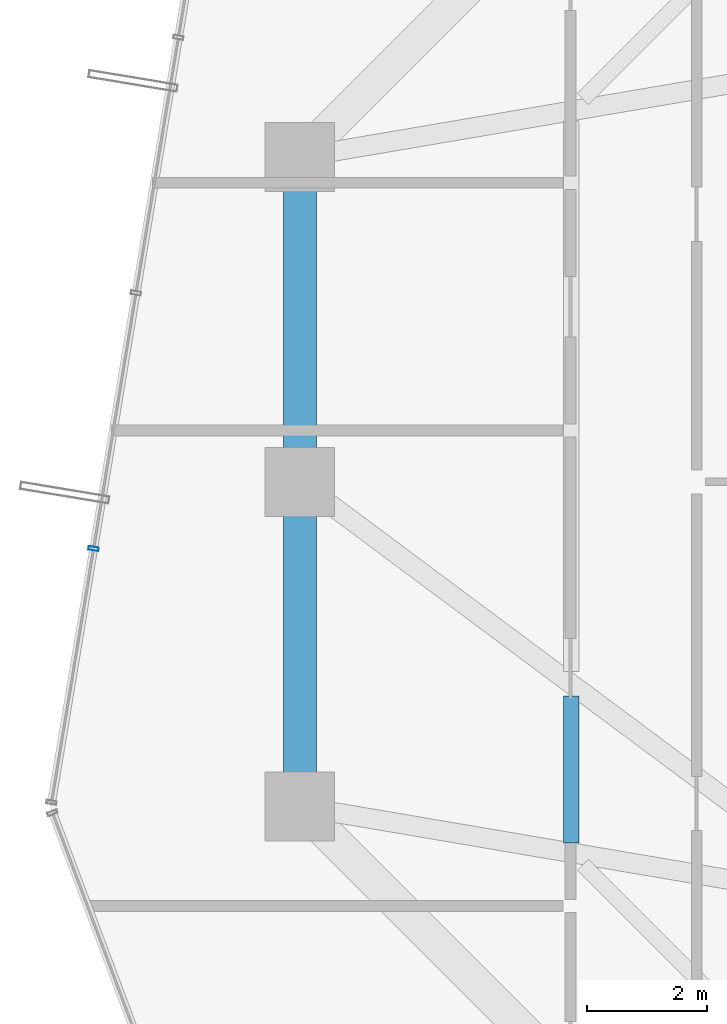
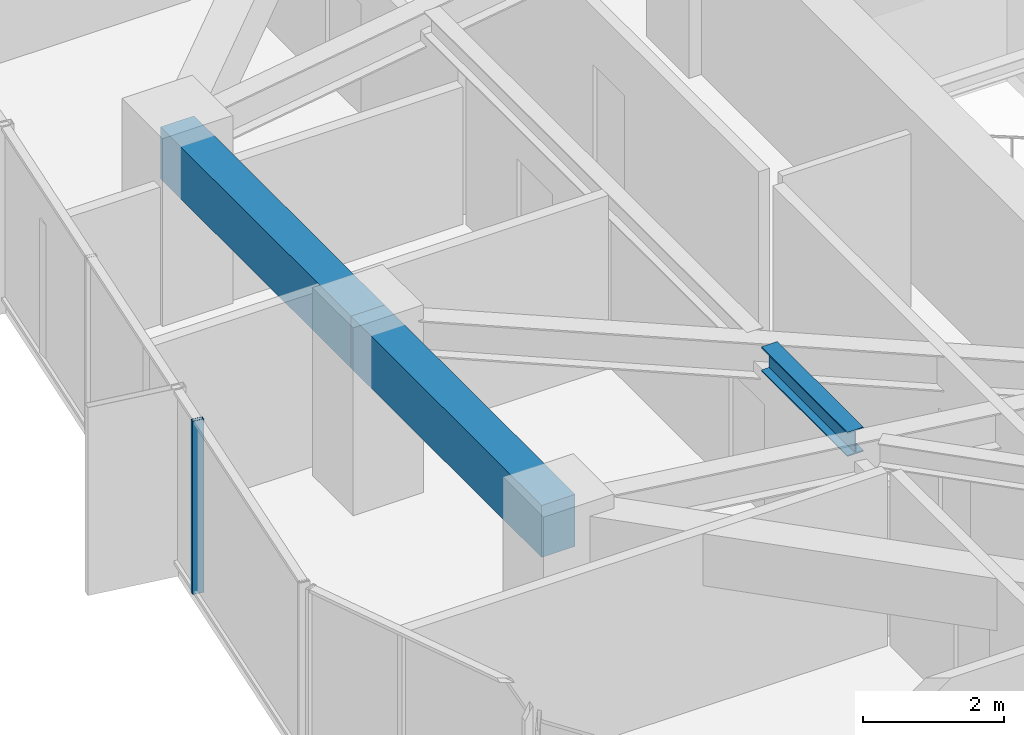
# One storey, part 10 of 30: 3 beams, 1 member, 1 element without a shape of its own.
"""IFC4 building model written with IfcOpenShell, lengths in metres."""

import ifcopenshell
import ifcopenshell.guid

model = None  # the IFC model being written
_history = None  # IfcOwnerHistory: only IFC2X3 demands one
_inside = {}  # id of a spatial element -> (the spatial element, [elements in it])
_under = {}  # id of a project, library or spatial element -> (it, [spatial elements below it])
_declared = {}  # id of a project -> (the project, [libraries it declares])
_typed = {}  # id of a type object -> (the type object, [elements of that type])
_made_of = {}  # id of a material, layer set ... -> (it, [elements and type objects made of it])


def new_model(schema):
    """Start an empty IFC model of exactly this schema.

    Asked for "IFC4X3", IfcOpenShell would pick the latest addendum, in which some entities
    have other attributes; the version numbers below select the first issue.
    IFC2X3 requires an IfcOwnerHistory on every rooted entity: one is made here for all.
    """
    global model, _history
    if schema == "IFC4X3":
        model = ifcopenshell.file(schema_version=(4, 3, 0, 0))
    else:
        model = ifcopenshell.file(schema=schema)
    _inside.clear()
    _under.clear()
    _declared.clear()
    _typed.clear()
    _made_of.clear()
    _history = None
    if model.schema == "IFC2X3":
        org = make("IfcOrganization", Name="unknown")
        user = make(
            "IfcPersonAndOrganization",
            ThePerson=make("IfcPerson", FamilyName="unknown"),
            TheOrganization=org,
        )
        app = make(
            "IfcApplication",
            ApplicationDeveloper=org,
            Version="unknown",
            ApplicationFullName="unknown",
            ApplicationIdentifier="unknown",
        )
        _history = make(
            "IfcOwnerHistory",
            OwningUser=user,
            OwningApplication=app,
            ChangeAction="ADDED",
            CreationDate=0,
        )
    return model


def make(cls, **values):
    """One entity of the class cls with the attributes given. An attribute that is None is left unset."""
    return model.create_entity(
        cls, **{name: value for name, value in values.items() if value is not None}
    )


def rooted(cls, **values):
    """An entity with a GlobalId (a new one), such as an element, a storey or a relation."""
    return make(cls, GlobalId=ifcopenshell.guid.new(), OwnerHistory=_history, **values)


def si_unit(unit_type, name, prefix=None):
    """IfcSIUnit, for example si_unit("LENGTHUNIT", "METRE", prefix="MILLI")."""
    return make("IfcSIUnit", UnitType=unit_type, Prefix=prefix, Name=name)


def assignment(units):
    """IfcUnitAssignment: the units of a project."""
    return None if units is None else make("IfcUnitAssignment", Units=units)


def point(xyz):
    """IfcCartesianPoint."""
    return None if xyz is None else make("IfcCartesianPoint", Coordinates=xyz)


def direction(xyz):
    """IfcDirection."""
    return None if xyz is None else make("IfcDirection", DirectionRatios=xyz)


def frame(location, z_axis=None, x_axis=None):
    """IfcAxis2Placement3D, a coordinate frame: its origin and axes. An axis left out is left unset."""
    return make(
        "IfcAxis2Placement3D",
        Location=point(location),
        Axis=direction(z_axis),
        RefDirection=direction(x_axis),
    )


def frame_2d(location, x_axis=None):
    """IfcAxis2Placement2D, a coordinate frame in the plane: its origin and x axis."""
    return make(
        "IfcAxis2Placement2D", Location=point(location), RefDirection=direction(x_axis)
    )


def origin():
    """The frame at (0, 0, 0) with its axes left unset."""
    return frame((0.0, 0.0, 0.0))


def origin_2d():
    """The frame at (0, 0) in the plane with its x axis left unset."""
    return frame_2d((0.0, 0.0))


def place(relative_to, where):
    """IfcLocalPlacement: puts the frame where relative to a parent placement (None: the world)."""
    return make(
        "IfcLocalPlacement", PlacementRelTo=relative_to, RelativePlacement=where
    )


def context(
    kind, dimensions, precision=None, world=None, true_north=None, identifier=None
):
    """IfcGeometricRepresentationContext, for example the 3D "Model" context."""
    return make(
        "IfcGeometricRepresentationContext",
        ContextIdentifier=identifier,
        ContextType=kind,
        CoordinateSpaceDimension=dimensions,
        Precision=precision,
        WorldCoordinateSystem=world,
        TrueNorth=true_north,
    )


def subcontext(parent, identifier, kind, view, scale=None):
    """IfcGeometricRepresentationSubContext, for example "Body" below "Model"."""
    return make(
        "IfcGeometricRepresentationSubContext",
        ContextIdentifier=identifier,
        ContextType=kind,
        ParentContext=parent,
        TargetScale=scale,
        TargetView=view,
    )


def project(units=None, contexts=None):
    """IfcProject with its units and contexts."""
    return rooted(
        "IfcProject",
        Name="project",
        RepresentationContexts=contexts,
        UnitsInContext=assignment(units),
    )


def spatial(cls, under=None, at=None, **own):
    """A site, building, storey or space (cls), placed at a placement, below another one or the project."""
    s = rooted(cls, ObjectPlacement=at, **own)
    if under is not None:
        _under.setdefault(under.id(), (under, []))[1].append(s)
    return s


def profile(cls, at=None, kind="AREA", **sizes):
    """A parametric profile (cls). Its sizes go by their IFC names, for example OverallWidth=200.0."""
    return make(cls, ProfileType=kind, Position=at, **sizes)


def rectangle(**sizes):
    """IfcRectangleProfileDef."""
    return profile("IfcRectangleProfileDef", **sizes)


def hollow_rectangle(**sizes):
    """IfcRectangleHollowProfileDef."""
    return profile("IfcRectangleHollowProfileDef", **sizes)


def i_section(**sizes):
    """IfcIShapeProfileDef."""
    return profile("IfcIShapeProfileDef", **sizes)


def extrude(swept, where, along, depth):
    """IfcExtrudedAreaSolid: the profile swept, set in the frame where, extruded along a direction by depth."""
    return make(
        "IfcExtrudedAreaSolid",
        SweptArea=swept,
        Position=where,
        ExtrudedDirection=direction(along),
        Depth=depth,
    )


def shape(context_of_items, identifier, shape_type, items):
    """IfcShapeRepresentation: the items that make up one representation, for example the "Body"."""
    return make(
        "IfcShapeRepresentation",
        ContextOfItems=context_of_items,
        RepresentationIdentifier=identifier,
        RepresentationType=shape_type,
        Items=items,
    )


def source(mapping_origin, context_of_items, identifier, shape_type, items):
    """IfcRepresentationMap: a shape defined once, which mapped items show again and again."""
    return make(
        "IfcRepresentationMap",
        MappingOrigin=mapping_origin,
        MappedRepresentation=shape(context_of_items, identifier, shape_type, items),
    )


def transform(
    local_origin,
    x_axis=None,
    y_axis=None,
    z_axis=None,
    scale=None,
    scale2=None,
    scale3=None,
    uniform=True,
):
    """IfcCartesianTransformationOperator3D, or its non-uniform kind. x_axis, y_axis, z_axis: its Axis1, 2, 3."""
    if uniform:
        return make(
            "IfcCartesianTransformationOperator3D",
            Axis1=direction(x_axis),
            Axis2=direction(y_axis),
            LocalOrigin=point(local_origin),
            Scale=scale,
            Axis3=direction(z_axis),
        )
    return make(
        "IfcCartesianTransformationOperator3DnonUniform",
        Axis1=direction(x_axis),
        Axis2=direction(y_axis),
        LocalOrigin=point(local_origin),
        Scale=scale,
        Axis3=direction(z_axis),
        Scale2=scale2,
        Scale3=scale3,
    )


def mapped(mapping_source, mapping_target):
    """IfcMappedItem: shows the shape of a source again, moved by a transform."""
    return make(
        "IfcMappedItem", MappingSource=mapping_source, MappingTarget=mapping_target
    )


def material(Name=None, Category=None):
    """IfcMaterial."""
    return make("IfcMaterial", Name=Name, Category=Category)


def layer(
    of_material, thickness, ventilated=None, Name=None, Category=None, Priority=None
):
    """IfcMaterialLayer: one layer of a wall or slab, of a material (None: an air gap)."""
    return make(
        "IfcMaterialLayer",
        Material=of_material,
        LayerThickness=thickness,
        IsVentilated=ventilated,
        Name=Name,
        Category=Category,
        Priority=Priority,
    )


def layer_set(layers, Name=None):
    """IfcMaterialLayerSet."""
    return make("IfcMaterialLayerSet", MaterialLayers=layers, LayerSetName=Name)


def material_profile(
    of_material, cross_section, Name=None, Category=None, Priority=None
):
    """IfcMaterialProfile: a cross section and its material."""
    return make(
        "IfcMaterialProfile",
        Name=Name,
        Material=of_material,
        Profile=cross_section,
        Priority=Priority,
        Category=Category,
    )


def profile_set(profiles, Name=None, composite=None):
    """IfcMaterialProfileSet."""
    return make(
        "IfcMaterialProfileSet",
        Name=Name,
        MaterialProfiles=profiles,
        CompositeProfile=composite,
    )


def made_of(thing, what):
    """Note that an element or type object is made of a material, layer set ...; save() writes the relation."""
    if what is not None:
        _made_of.setdefault(what.id(), (what, []))[1].append(thing)
    return thing


def type_object(cls, material=None, **own):
    """A type object (cls), such as IfcWallType, which elements share."""
    return made_of(rooted(cls, **own), material)


def element(
    cls,
    number,
    at=None,
    inside=None,
    cuts=None,
    type_object=None,
    material=None,
    context=None,
    identifier="Body",
    shape_type=None,
    held_by="IfcProductDefinitionShape",
    body=None,
    shapes=None,
    **own,
):
    """One element of the class cls, such as IfcWall. Its Tag is "e" and its number.

    at: its placement. inside: the storey or other place that contains it. cuts: it is an
    opening in that element (IfcRelVoidsElement). A single representation is given by context,
    identifier, shape_type and body (its items); several are given by shapes. held_by: the class
    of the entity that holds the representations. save() writes the other relations.
    """
    e = rooted(cls, Tag="e%d" % number, ObjectPlacement=at, **own)
    if body is not None:
        shapes = [shape(context, identifier, shape_type, body)]
    if shapes is not None:
        e.Representation = make(held_by, Representations=shapes)
    if inside is not None:
        _inside.setdefault(inside.id(), (inside, []))[1].append(e)
    if cuts is not None:
        rooted(
            "IfcRelVoidsElement", RelatingBuildingElement=cuts, RelatedOpeningElement=e
        )
    if type_object is not None:
        _typed.setdefault(type_object.id(), (type_object, []))[1].append(e)
    return made_of(e, material)


def aggregate(whole, parts):
    """IfcRelAggregates: a whole, such as a stair, and the parts it consists of."""
    return rooted("IfcRelAggregates", RelatingObject=whole, RelatedObjects=parts)


def save(model, path):
    """Write the relations noted so far, then the file.

    IfcRelAggregates (storeys below a building ...), IfcRelContainedInSpatialStructure (elements
    in a storey), IfcRelDefinesByType, IfcRelAssociatesMaterial and IfcRelDeclares: one each for
    every whole, place, type object, material and project.
    """
    for whole, parts in _under.values():
        aggregate(whole, parts)
    for where, things in _inside.values():
        rooted(
            "IfcRelContainedInSpatialStructure",
            RelatedElements=things,
            RelatingStructure=where,
        )
    for kind, things in _typed.values():
        rooted("IfcRelDefinesByType", RelatedObjects=things, RelatingType=kind)
    for what, things in _made_of.values():
        rooted("IfcRelAssociatesMaterial", RelatedObjects=things, RelatingMaterial=what)
    for by, libraries in _declared.values():
        rooted("IfcRelDeclares", RelatingContext=by, RelatedDefinitions=libraries)
    model.write(path)


model = new_model("IFC4")

# Units and contexts
model_context = context("Model", 3, precision=1e-05, world=origin(), true_north=direction((0.0, 1.0)))
body_context = subcontext(model_context, "Body", "Model", "MODEL_VIEW")
ifc_project = project(units=[si_unit("LENGTHUNIT", "METRE"), si_unit("AREAUNIT", "SQUARE_METRE"), si_unit("VOLUMEUNIT", "CUBIC_METRE"), si_unit("PLANEANGLEUNIT", "RADIAN"), si_unit("MASSUNIT", "GRAM", prefix="KILO")], contexts=[model_context])

# Site, building, storey
site_placement = place(None, origin())
site = spatial("IfcSite", under=ifc_project, at=site_placement, CompositionType="ELEMENT")
building_placement = place(site_placement, origin())
building = spatial("IfcBuilding", under=site, at=building_placement, Name="Veraguas Prism Commons", CompositionType="ELEMENT")
storey_placement = place(building_placement, frame((0.0, 0.0, 95.949951171875)))
storey = spatial("IfcBuildingStorey", under=building, at=storey_placement, Name="L26", CompositionType="ELEMENT", Elevation=95.949951171875)

# Beams
ifc_material_1 = material(Name="Steel ASTM A992 Grade 50", Category="steel")
ifc_material_profile_1 = material_profile(ifc_material_1, i_section(OverallWidth=0.260986328125, OverallDepth=0.419921875, WebThickness=0.01171875, FlangeThickness=0.019287109375, at=origin_2d()), Name="W410X114")
ifc_profile_set_1 = profile_set([ifc_material_profile_1], Name="Steel ASTM A992 Grade 50")
beam_type_1 = type_object("IfcBeamType", Name="Lower Floor Joist W410x114", PredefinedType="JOIST", material=ifc_profile_set_1)
beam_placement = place(storey_placement, frame((12.31201171875, 20.43798828125, 2.7900390625), z_axis=(0.0, -1.0, 0.0), x_axis=(1.0, 0.0, 0.0)))
element("IfcBeam", 1, at=beam_placement, inside=storey, type_object=beam_type_1, Name="Composite Floor Joist L26-JS08", PredefinedType="JOIST", context=body_context, shape_type="SweptSolid", body=[
    extrude(i_section(OverallWidth=0.260986328125, OverallDepth=0.419921875, WebThickness=0.01171875, FlangeThickness=0.019287109375, at=origin_2d()), origin(), (0.0, 0.0, 1.0), 2.441650390625),
])
ifc_material_2 = material(Name="Concrete C50/60", Category="concrete")
ifc_material_profile_2 = material_profile(ifc_material_2, rectangle(XDim=0.550048828125, YDim=0.89990234375, at=origin_2d()), Name="RC550X900")
ifc_profile_set_2 = profile_set([ifc_material_profile_2], Name="Concrete C50/60")
beam_type_2 = type_object("IfcBeamType", Name="Perimeter Spandrel Lower RC 550x900", PredefinedType="SPANDREL", material=ifc_profile_set_2)
for number, where, z_axis, x_axis, name in (
    (2, (7.800048828125, 29.39990234375, 2.550048828125), (0.0, -1.0, 0.0), (1.0, 0.0, 0.0), "Perimeter Spandrel Beam L26-SP07"),
    (3, (7.800048828125, 24.0, 2.550048828125), (0.0, -1.0, 0.0), (1.0, 0.0, 0.0), "Perimeter Spandrel Beam L26-SP08"),
):
    element("IfcBeam", number, at=place(storey_placement, frame(where, z_axis=z_axis, x_axis=x_axis)), inside=storey, type_object=beam_type_2, Name=name, PredefinedType="SPANDREL", context=body_context, shape_type="SweptSolid", body=[
        extrude(rectangle(XDim=0.550048828125, YDim=0.89990234375, at=origin_2d()), origin(), (0.0, 0.0, 1.0), 5.39990234375),
    ])

# Curtain wall, member
ifc_material_3 = material(Name="Anodised aluminium EN AW-6063 T6", Category="aluminium")
ifc_layer = layer(ifc_material_3, 0.169921875, Name="Unitised Flush Curtain Wall Zone 2", Category="aluminium")
ifc_layer_set = layer_set([ifc_layer], Name="Anodised aluminium EN AW-6063 T6")
curtain_wall_type = type_object("IfcCurtainWallType", Name="Unitised Flush Curtain Wall Zone 2", PredefinedType="NOTDEFINED", material=ifc_layer_set)
curtain_wall_placement = place(storey_placement, origin())
curtain_wall = element("IfcCurtainWall", 4, at=curtain_wall_placement, inside=storey, type_object=curtain_wall_type, Name="Tower Facade Curtain Wall L26-F3", PredefinedType="NOTDEFINED")
ifc_material_profile_3 = material_profile(ifc_material_3, hollow_rectangle(XDim=0.06005859375, YDim=0.169921875, WallThickness=0.00390625, at=origin_2d()), Name="AL60X170X4")
ifc_profile_set_3 = profile_set([ifc_material_profile_3], Name="Anodised aluminium EN AW-6063 T6")
member_type = type_object("IfcMemberType", Name="Curtain Wall Mullion Lower AL 60x170x4", PredefinedType="MULLION", material=ifc_profile_set_3)
shared_shape = source(origin(), body_context, "Body", "SweptSolid", [
    extrude(hollow_rectangle(XDim=0.06005859375, YDim=0.169921875, WallThickness=0.00390625, at=origin_2d()), origin(), (0.0, 0.0, 1.0), 3.0),
])
member_placement = place(storey_placement, frame((4.37109375, 22.88916015625, 0.0), z_axis=(0.0, 0.0, 1.0), x_axis=(-0.163672052728, -0.986514804327, 0.0)))
member = element("IfcMember", 5, at=member_placement, type_object=member_type, Name="CW-Z2 Mullion 4", PredefinedType="MULLION", context=body_context, shape_type="MappedRepresentation", body=[
    mapped(shared_shape, transform((0.0, 0.0, 0.0), scale=1.0)),
])
aggregate(curtain_wall, [member])

save(model, "model.ifc")
